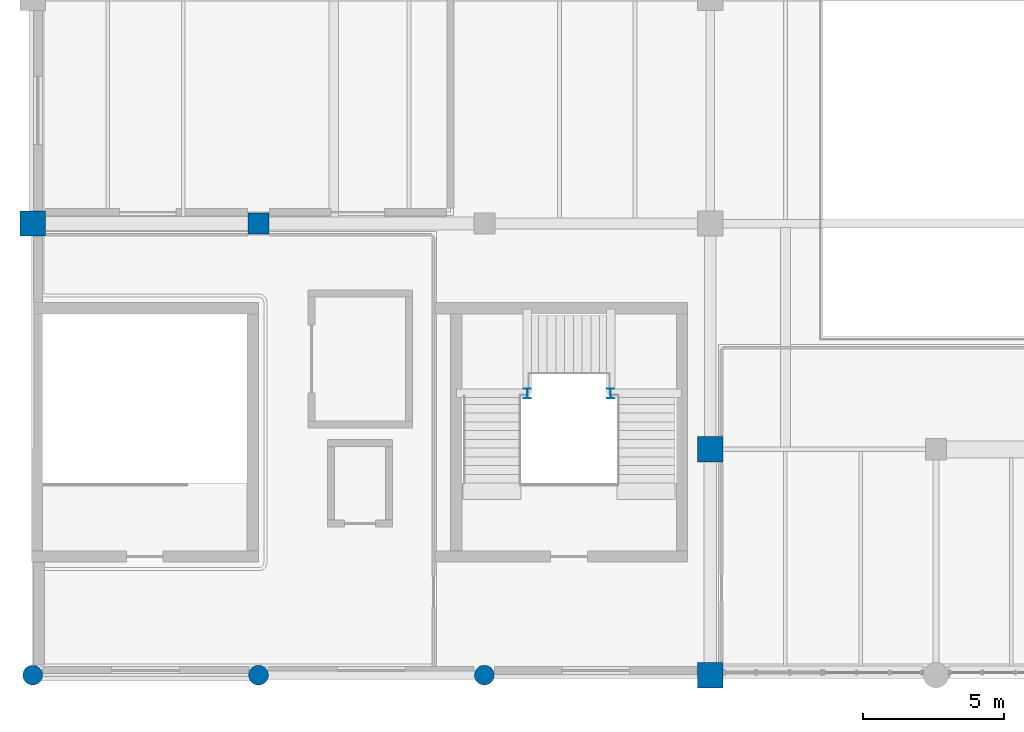
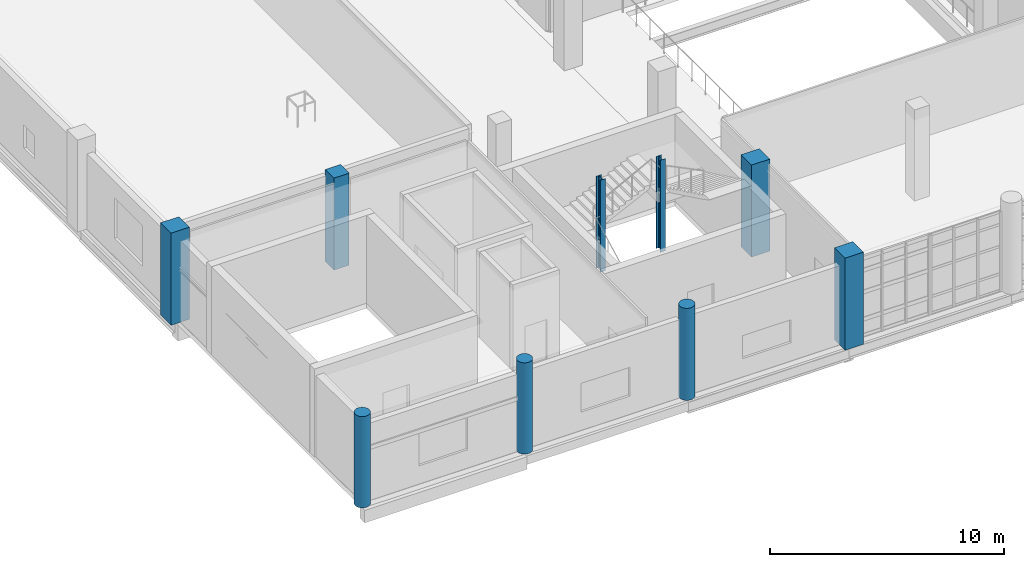
# One storey, part 1 of 100: 9 columns.
"""IFC4 building model written with IfcOpenShell, lengths in metres."""

from ifc_helpers import new_model, si_unit, derived_unit, direction, frame, origin, origin_2d, place, context, subcontext, project, spatial, rectangle, circle, i_section, extrude, material, material_profile, profile_set, type_object, element, save


model = new_model("IFC4")

# Units and contexts
model_context = context("Model", 3, precision=1e-05, world=origin(), true_north=direction((0.0, 1.0)))
body_context = subcontext(model_context, "Body", "Model", "MODEL_VIEW")
ifc_project = project(units=[si_unit("LENGTHUNIT", "METRE"), si_unit("AREAUNIT", "SQUARE_METRE"), si_unit("VOLUMEUNIT", "CUBIC_METRE"), si_unit("PLANEANGLEUNIT", "RADIAN"), si_unit("MASSUNIT", "GRAM", prefix="KILO"), derived_unit("THERMALTRANSMITTANCEUNIT", [(si_unit("POWERUNIT", "WATT"), 1), (si_unit("LENGTHUNIT", "METRE"), -2), (si_unit("THERMODYNAMICTEMPERATUREUNIT", "KELVIN"), -1)])], contexts=[model_context])

# Site, building, storey
site_placement = place(None, origin())
site = spatial("IfcSite", under=ifc_project, at=site_placement, CompositionType="ELEMENT")
building_placement = place(site_placement, origin())
building = spatial("IfcBuilding", under=site, at=building_placement, Name="Nallur Shell Playhouse", CompositionType="ELEMENT")
storey_placement = place(building_placement, frame((0.0, 0.0, 10.199951171875)))
storey = spatial("IfcBuildingStorey", under=building, at=storey_placement, Name="L03", CompositionType="ELEMENT", Elevation=10.199951171875)

# Columns
ifc_material_1 = material(Name="Concrete M40", Category="concrete")
ifc_material_profile_1 = material_profile(ifc_material_1, rectangle(XDim=0.75, YDim=0.75, at=origin_2d()), Name="RC 750x750")
ifc_profile_set_1 = profile_set([ifc_material_profile_1], Name="Concrete M40")
column_type_1 = type_object("IfcColumnType", Name="CL-RC-750", PredefinedType="COLUMN", material=ifc_profile_set_1)
column_1_placement = place(storey_placement, frame((24.0, 24.0, 0.0), z_axis=(0.0, 0.0, 1.0), x_axis=(1.0, 0.0, 0.0)))
element("IfcColumn", 1, at=column_1_placement, inside=storey, type_object=column_type_1, Name="Column 3-C (L03)", PredefinedType="COLUMN", context=body_context, shape_type="SweptSolid", body=[
    extrude(rectangle(XDim=0.75, YDim=0.75, at=origin_2d()), origin(), (0.0, 0.0, 1.0), 4.800048828125),
])
ifc_material_profile_2 = material_profile(ifc_material_1, rectangle(XDim=0.89990234375, YDim=0.89990234375, at=origin_2d()), Name="RC 900x900")
ifc_profile_set_2 = profile_set([ifc_material_profile_2], Name="Concrete M40")
column_type_2 = type_object("IfcColumnType", Name="CL-RC-900", PredefinedType="COLUMN", material=ifc_profile_set_2)
for number, where, z_axis, x_axis, name in (
    (2, (16.0, 24.0, 0.0), (0.0, 0.0, 1.0), (1.0, 0.0, 0.0), "Column 2-C (L03)"),
    (3, (40.0, 8.0, 0.0), (0.0, 0.0, 1.0), (1.0, 0.0, 0.0), "Column 5-A (L03)"),
    (4, (40.0, 16.0, 0.0), (0.0, 0.0, 1.0), (1.0, 0.0, 0.0), "Column 5-B (L03)"),
):
    element("IfcColumn", number, at=place(storey_placement, frame(where, z_axis=z_axis, x_axis=x_axis)), inside=storey, type_object=column_type_2, Name=name, PredefinedType="COLUMN", context=body_context, shape_type="SweptSolid", body=[
        extrude(rectangle(XDim=0.89990234375, YDim=0.89990234375, at=origin_2d()), origin(), (0.0, 0.0, 1.0), 4.800048828125),
    ])
ifc_material_profile_3 = material_profile(ifc_material_1, circle(Radius=0.35009765625, at=origin_2d()), Name="RC D700")
ifc_profile_set_3 = profile_set([ifc_material_profile_3], Name="Concrete M40")
column_type_3 = type_object("IfcColumnType", Name="CL-RCD-700", PredefinedType="COLUMN", material=ifc_profile_set_3)
for number, where, z_axis, x_axis, name in (
    (5, (16.0, 8.0, 0.0), (0.0, 0.0, 1.0), (1.0, 0.0, 0.0), "Column 2-A (L03)"),
    (6, (24.0, 8.0, 0.0), (0.0, 0.0, 1.0), (1.0, 0.0, 0.0), "Column 3-A (L03)"),
):
    element("IfcColumn", number, at=place(storey_placement, frame(where, z_axis=z_axis, x_axis=x_axis)), inside=storey, type_object=column_type_3, Name=name, PredefinedType="COLUMN", context=body_context, shape_type="SweptSolid", body=[
        extrude(circle(Radius=0.35009765625, at=origin_2d()), origin(), (0.0, 0.0, 1.0), 4.760009765625),
    ])
column_2_placement = place(storey_placement, frame((32.0, 8.0, 0.0), z_axis=(0.0, 0.0, 1.0), x_axis=(1.0, 0.0, 0.0)))
element("IfcColumn", 7, at=column_2_placement, inside=storey, type_object=column_type_3, Name="Column 4-A (L03)", PredefinedType="COLUMN", context=body_context, shape_type="SweptSolid", body=[
    extrude(circle(Radius=0.35009765625, at=origin_2d()), origin(), (0.0, 0.0, 1.0), 4.800048828125),
])
ifc_material_2 = material(Name="Steel E350", Category="steel")
ifc_material_profile_4 = material_profile(ifc_material_2, i_section(OverallWidth=0.25, OverallDepth=0.35009765625, WebThickness=0.010009765625, FlangeThickness=0.01171875, FilletRadius=0.011962890625, at=origin_2d()), Name="ISHB 350")
ifc_profile_set_4 = profile_set([ifc_material_profile_4], Name="Steel E350")
column_type_4 = type_object("IfcColumnType", Name="CL-ST-ISHB350", PredefinedType="COLUMN", material=ifc_profile_set_4)
for number, where, z_axis, x_axis, name in (
    (8, (33.52001953125, 17.97998046875, 0.0), (0.0, 0.0, 1.0), (1.0, 0.0, 0.0), "Column STW-JC-1-W (L03)"),
    (9, (36.47998046875, 17.97998046875, 0.0), (0.0, 0.0, 1.0), (1.0, 0.0, 0.0), "Column STW-JC-1-E (L03)"),
):
    element("IfcColumn", number, at=place(storey_placement, frame(where, z_axis=z_axis, x_axis=x_axis)), inside=storey, type_object=column_type_4, Name=name, PredefinedType="COLUMN", context=body_context, shape_type="SweptSolid", body=[
        extrude(i_section(OverallWidth=0.25, OverallDepth=0.35009765625, WebThickness=0.010009765625, FlangeThickness=0.01171875, FilletRadius=0.011962890625, at=origin_2d()), origin(), (0.0, 0.0, 1.0), 4.800048828125),
    ])

save(model, "model.ifc")
